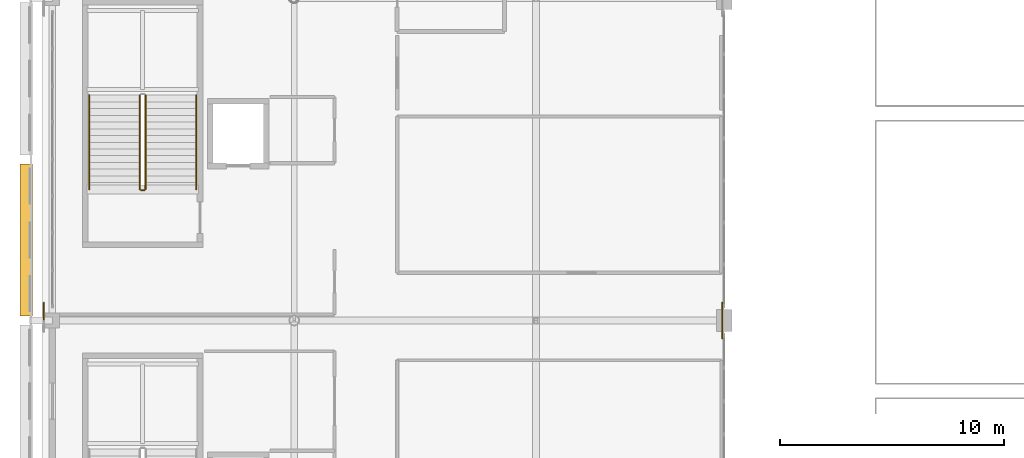
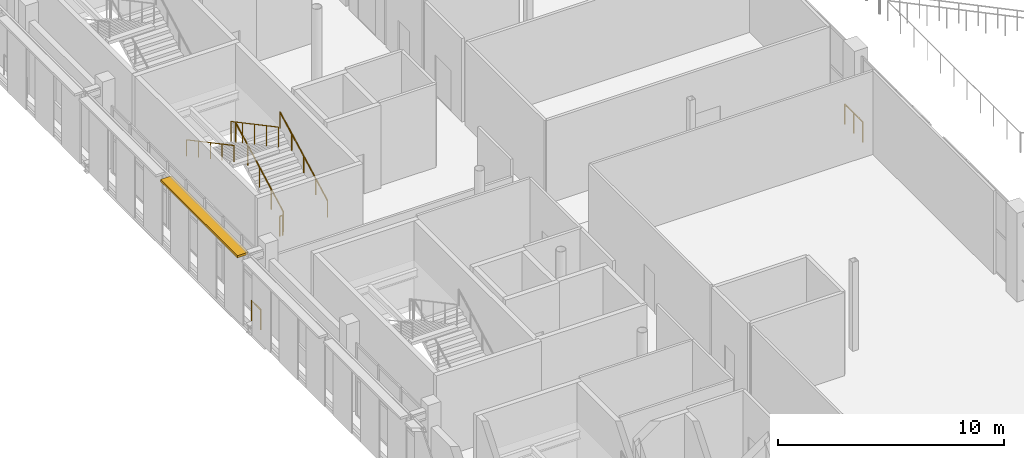
# One storey, part 82 of 104: 8 railings, 1 shading device.
"""IFC4 building model written with IfcOpenShell, lengths in metres."""

from ifc_helpers import new_model, si_unit, direction, frame, origin, origin_2d, place, context, subcontext, project, spatial, rectangle, circle, extrude, material, type_object, element, save


model = new_model("IFC4")

# Units and contexts
model_context = context("Model", 3, precision=1e-05, world=origin(), true_north=direction((0.0, 1.0)))
body_context = subcontext(model_context, "Body", "Model", "MODEL_VIEW")
ifc_project = project(units=[si_unit("LENGTHUNIT", "METRE"), si_unit("AREAUNIT", "SQUARE_METRE"), si_unit("VOLUMEUNIT", "CUBIC_METRE"), si_unit("PLANEANGLEUNIT", "RADIAN"), si_unit("MASSUNIT", "GRAM", prefix="KILO")], contexts=[model_context])

# Site, building, storey
site_placement = place(None, origin())
site = spatial("IfcSite", under=ifc_project, at=site_placement, CompositionType="ELEMENT")
building_placement = place(site_placement, origin())
building = spatial("IfcBuilding", under=site, at=building_placement, Name="Koshinbarg Plaza Stadium", CompositionType="ELEMENT")
storey_placement = place(building_placement, frame((0.0, 0.0, 19.800048828125)))
storey = spatial("IfcBuildingStorey", under=building, at=storey_placement, Name="L04", CompositionType="ELEMENT", Elevation=19.800048828125)

# Railings
ifc_material_1 = material(Name="Toughened laminated glass and stainless steel sightline balustrade", Category="steel")
railing_type_1 = type_object("IfcRailingType", Name="RL-BOWL-1100", PredefinedType="BALUSTRADE", material=ifc_material_1)
railing_1_placement = place(storey_placement, frame((54.52001953125, 54.300048828125, 0.0)))
element("IfcRailing", 1, at=railing_1_placement, inside=storey, type_object=railing_type_1, Name="L04 deck edge safety balustrade 0284", PredefinedType="BALUSTRADE", context=body_context, shape_type="SweptSolid", body=[
    extrude(circle(Radius=0.02392578125, at=origin_2d()), frame((0.0, 0.0, 1.076171875), z_axis=(0.0, -1.0, 0.0), x_axis=(1.0, 0.0, 0.0)), (0.0, 0.0, 1.0), 0.797119140625),
    extrude(circle(Radius=0.02099609375, at=origin_2d()), origin(), (0.0, 0.0, 1.0), 1.052001953125),
    extrude(circle(Radius=0.02099609375, at=origin_2d()), frame((0.0, -0.797119140625, 0.0)), (0.0, 0.0, 1.0), 1.052001953125),
])
railing_2_placement = place(storey_placement, frame((24.22509765625, 54.300048828125, 0.0)))
element("IfcRailing", 2, at=railing_2_placement, inside=storey, type_object=railing_type_1, Name="L04 deck edge safety balustrade 0287", PredefinedType="BALUSTRADE", context=body_context, shape_type="SweptSolid", body=[
    extrude(circle(Radius=0.02392578125, at=origin_2d()), frame((0.0, 0.0, 1.076171875), z_axis=(0.0, 1.0, 0.0), x_axis=(-1.0, 0.0, 0.0)), (0.0, 0.0, 1.0), 0.800048828125),
    extrude(circle(Radius=0.02099609375, at=origin_2d()), origin(), (0.0, 0.0, 1.0), 1.052001953125),
    extrude(circle(Radius=0.02099609375, at=origin_2d()), frame((0.0, 0.800048828125, 0.0)), (0.0, 0.0, 1.0), 1.052001953125),
])
railing_3_placement = place(storey_placement, frame((54.52001953125, 55.10009765625, 0.0)))
element("IfcRailing", 3, at=railing_3_placement, inside=storey, type_object=railing_type_1, Name="L04 deck edge safety balustrade 0293", PredefinedType="BALUSTRADE", context=body_context, shape_type="SweptSolid", body=[
    extrude(circle(Radius=0.02392578125, at=origin_2d()), frame((0.0, 0.0, 1.076171875), z_axis=(0.0, -1.0, 0.0), x_axis=(1.0, 0.0, 0.0)), (0.0, 0.0, 1.0), 0.800048828125),
    extrude(circle(Radius=0.02099609375, at=origin_2d()), origin(), (0.0, 0.0, 1.0), 1.052001953125),
    extrude(circle(Radius=0.02099609375, at=origin_2d()), frame((0.0, -0.800048828125, 0.0)), (0.0, 0.0, 1.0), 1.052001953125),
])
ifc_material_2 = material(Name="Galvanized painted steel guardrail", Category="steel")
railing_type_2 = type_object("IfcRailingType", Name="RL-GUARD-1100", PredefinedType="GUARDRAIL", material=ifc_material_2)
railing_4_placement = place(storey_placement, frame((28.760009765625, 60.159912109375, 0.159912109375)))
element("IfcRailing", 4, at=railing_4_placement, inside=storey, type_object=railing_type_2, Name="L04 C03 stair guard 1", PredefinedType="GUARDRAIL", context=body_context, shape_type="SweptSolid", body=[
    extrude(circle(Radius=0.02392578125, at=origin_2d()), frame((0.0, 0.0, 1.076171875), z_axis=(0.0, 0.882362879185, 0.470569601054), x_axis=(-1.0, 0.0, 0.0)), (0.0, 0.0, 1.0), 4.76025390625),
    extrude(circle(Radius=0.02099609375, at=origin_2d()), origin(), (0.0, 0.0, 1.0), 1.052001953125),
    extrude(circle(Radius=0.02099609375, at=origin_2d()), frame((0.0, 1.050048828125, 0.56005859375)), (0.0, 0.0, 1.0), 1.052001953125),
    extrude(circle(Radius=0.02099609375, at=origin_2d()), frame((0.0, 2.10009765625, 1.1201171875)), (0.0, 0.0, 1.0), 1.052001953125),
    extrude(circle(Radius=0.02099609375, at=origin_2d()), frame((0.0, 3.150146484375, 1.679931640625)), (0.0, 0.0, 1.0), 1.052001953125),
    extrude(circle(Radius=0.02099609375, at=origin_2d()), frame((0.0, 4.2001953125, 2.239990234375)), (0.0, 0.0, 1.0), 1.052001953125),
])
railing_5_placement = place(storey_placement, frame((28.510009765625, 64.360107421875, 2.56005859375)))
element("IfcRailing", 5, at=railing_5_placement, inside=storey, type_object=railing_type_2, Name="L04 C03 stair guard 3", PredefinedType="GUARDRAIL", context=body_context, shape_type="SweptSolid", body=[
    extrude(circle(Radius=0.02392578125, at=origin_2d()), frame((0.0, 0.0, 1.076171875), z_axis=(0.0, -0.882362879185, 0.470569601054), x_axis=(1.0, 0.0, 0.0)), (0.0, 0.0, 1.0), 4.76025390625),
    extrude(circle(Radius=0.02099609375, at=origin_2d()), origin(), (0.0, 0.0, 1.0), 1.052001953125),
    extrude(circle(Radius=0.02099609375, at=origin_2d()), frame((0.0, -1.050048828125, 0.56005859375)), (0.0, 0.0, 1.0), 1.052001953125),
    extrude(circle(Radius=0.02099609375, at=origin_2d()), frame((0.0, -2.10009765625, 1.1201171875)), (0.0, 0.0, 1.0), 1.052001953125),
    extrude(circle(Radius=0.02099609375, at=origin_2d()), frame((0.0, -3.150146484375, 1.679931640625)), (0.0, 0.0, 1.0), 1.052001953125),
    extrude(circle(Radius=0.02099609375, at=origin_2d()), frame((0.0, -4.2001953125, 2.239990234375)), (0.0, 0.0, 1.0), 1.052001953125),
])
railing_6_placement = place(storey_placement, frame((28.7099609375, 60.110107421875, 0.0)))
element("IfcRailing", 6, at=railing_6_placement, inside=storey, type_object=railing_type_2, Name="L04 C03 stair guard 4", PredefinedType="GUARDRAIL", context=body_context, shape_type="SweptSolid", body=[
    extrude(circle(Radius=0.02392578125, at=origin_2d()), frame((0.0, 0.0, 1.076171875), z_axis=(-1.0, 0.0, 0.0), x_axis=(0.0, -1.0, 0.0)), (0.0, 0.0, 1.0), 0.14990234375),
    extrude(circle(Radius=0.02099609375, at=origin_2d()), origin(), (0.0, 0.0, 1.0), 1.052001953125),
    extrude(circle(Radius=0.02099609375, at=origin_2d()), frame((-0.14990234375, 0.0, 0.0)), (0.0, 0.0, 1.0), 1.052001953125),
])
ifc_material_3 = material(Name="Brushed stainless steel handrail", Category="steel")
railing_type_3 = type_object("IfcRailingType", Name="RL-HAND-900", PredefinedType="HANDRAIL", material=ifc_material_3)
railing_7_placement = place(storey_placement, frame((31.02001953125, 60.159912109375, 0.159912109375)))
element("IfcRailing", 7, at=railing_7_placement, inside=storey, type_object=railing_type_3, Name="L04 C03 stair handrail 1", PredefinedType="HANDRAIL", context=body_context, shape_type="SweptSolid", body=[
    extrude(circle(Radius=0.02392578125, at=origin_2d()), frame((0.0, 0.0, 0.8759765625), z_axis=(0.0, 0.882362879185, 0.470569601054), x_axis=(-1.0, 0.0, 0.0)), (0.0, 0.0, 1.0), 4.76025390625),
    extrude(circle(Radius=0.02099609375, at=origin_2d()), origin(), (0.0, 0.0, 1.0), 0.851806640625),
    extrude(circle(Radius=0.02099609375, at=origin_2d()), frame((0.0, 1.050048828125, 0.56005859375)), (0.0, 0.0, 1.0), 0.851806640625),
    extrude(circle(Radius=0.02099609375, at=origin_2d()), frame((0.0, 2.10009765625, 1.1201171875)), (0.0, 0.0, 1.0), 0.851806640625),
    extrude(circle(Radius=0.02099609375, at=origin_2d()), frame((0.0, 3.150146484375, 1.679931640625)), (0.0, 0.0, 1.0), 0.851806640625),
    extrude(circle(Radius=0.02099609375, at=origin_2d()), frame((0.0, 4.2001953125, 2.239990234375)), (0.0, 0.0, 1.0), 0.851806640625),
])
railing_8_placement = place(storey_placement, frame((26.25, 64.360107421875, 2.56005859375)))
element("IfcRailing", 8, at=railing_8_placement, inside=storey, type_object=railing_type_3, Name="L04 C03 stair handrail 2", PredefinedType="HANDRAIL", context=body_context, shape_type="SweptSolid", body=[
    extrude(circle(Radius=0.02392578125, at=origin_2d()), frame((0.0, 0.0, 0.8759765625), z_axis=(0.0, -0.882362879185, 0.470569601054), x_axis=(1.0, 0.0, 0.0)), (0.0, 0.0, 1.0), 4.76025390625),
    extrude(circle(Radius=0.02099609375, at=origin_2d()), origin(), (0.0, 0.0, 1.0), 0.851806640625),
    extrude(circle(Radius=0.02099609375, at=origin_2d()), frame((0.0, -1.050048828125, 0.56005859375)), (0.0, 0.0, 1.0), 0.851806640625),
    extrude(circle(Radius=0.02099609375, at=origin_2d()), frame((0.0, -2.10009765625, 1.1201171875)), (0.0, 0.0, 1.0), 0.851806640625),
    extrude(circle(Radius=0.02099609375, at=origin_2d()), frame((0.0, -3.150146484375, 1.679931640625)), (0.0, 0.0, 1.0), 0.851806640625),
    extrude(circle(Radius=0.02099609375, at=origin_2d()), frame((0.0, -4.2001953125, 2.239990234375)), (0.0, 0.0, 1.0), 0.851806640625),
])

# Shading device
ifc_material_4 = material(Name="Off-white powder-coated aluminium sun-baffle louvre", Category="aluminium")
shading_device_type = type_object("IfcShadingDeviceType", Name="SHD-LOUVRE-01", PredefinedType="USERDEFINED", material=ifc_material_4)
shading_device_placement = place(storey_placement, frame((23.429931640625, 57.89990234375, 4.119873046875), z_axis=(0.0, 0.0, 1.0), x_axis=(1.0, 0.0, 0.0)))
element("IfcShadingDevice", 9, at=shading_device_placement, inside=storey, type_object=shading_device_type, Name="L04 solar brise-soleil louvre 19", ObjectType="LOUVRE", PredefinedType="USERDEFINED", context=body_context, shape_type="SweptSolid", body=[
    extrude(rectangle(XDim=0.550048828125, YDim=6.800048828125, at=origin_2d()), origin(), (0.0, 0.0, 1.0), 0.1201171875),
])

save(model, "model.ifc")
